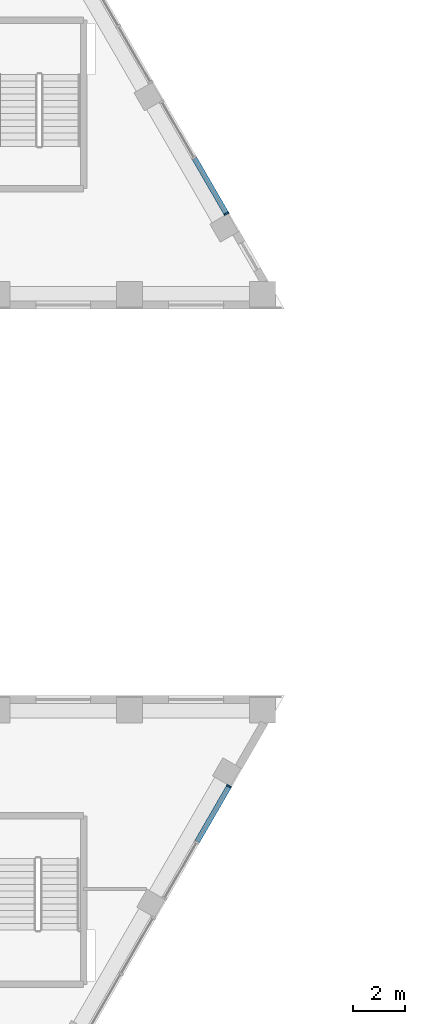
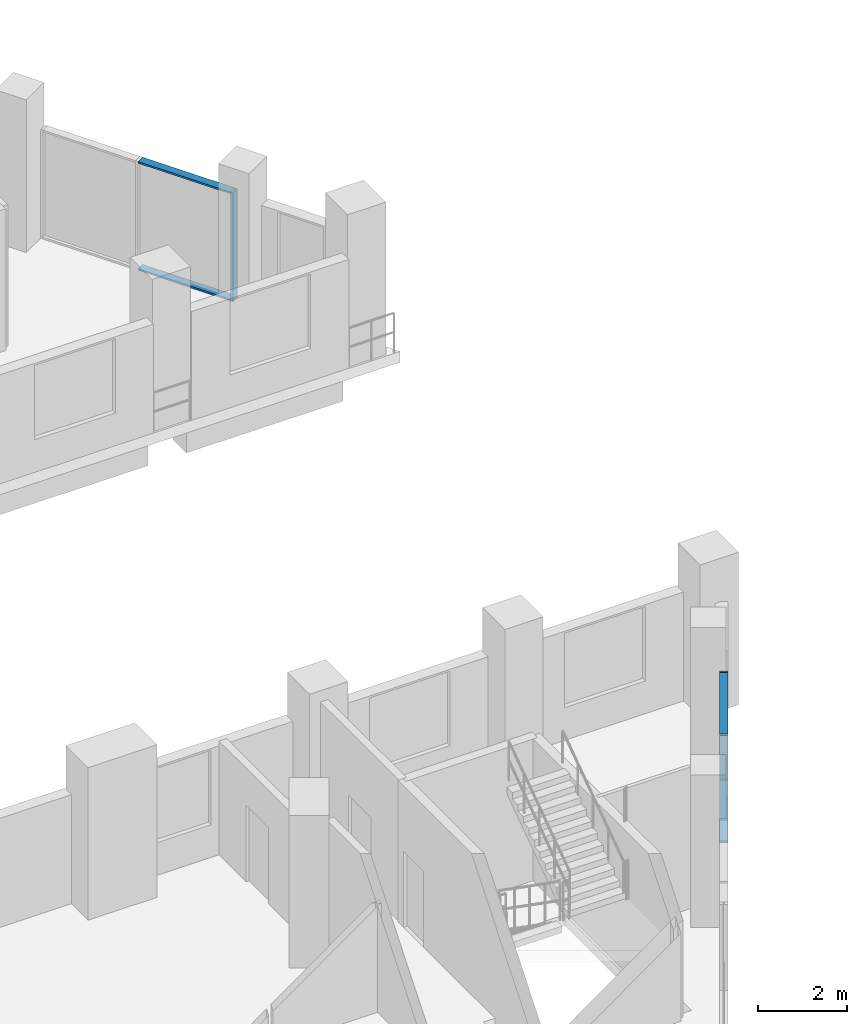
# One storey, part 5 of 47: 6 members, 2 elements without a shape of their own.
"""IFC4 building model written with IfcOpenShell, lengths in metres."""

from ifc_helpers import new_model, si_unit, direction, frame, origin, origin_2d, place, context, subcontext, project, spatial, rectangle, extrude, material, layer, layer_set, material_profile, profile_set, type_object, element, aggregate, save


model = new_model("IFC4")

# Units and contexts
model_context = context("Model", 3, precision=1e-05, world=origin(), true_north=direction((0.0, 1.0)))
body_context = subcontext(model_context, "Body", "Model", "MODEL_VIEW")
ifc_project = project(units=[si_unit("LENGTHUNIT", "METRE"), si_unit("AREAUNIT", "SQUARE_METRE"), si_unit("VOLUMEUNIT", "CUBIC_METRE"), si_unit("PLANEANGLEUNIT", "RADIAN"), si_unit("MASSUNIT", "GRAM", prefix="KILO")], contexts=[model_context])

# Site, building, storey
site_placement = place(None, origin())
site = spatial("IfcSite", under=ifc_project, at=site_placement, CompositionType="ELEMENT")
building_placement = place(site_placement, origin())
building = spatial("IfcBuilding", under=site, at=building_placement, Name="Nakaniwa Court", CompositionType="ELEMENT")
storey_placement = place(building_placement, frame((0.0, 0.0, 15.60009765625)))
storey = spatial("IfcBuildingStorey", under=building, at=storey_placement, Name="L03", CompositionType="ELEMENT", Elevation=15.60009765625)

# Curtain wall, member
ifc_material_1 = material(Name="Black anodised aluminium frame with dark low-E laminated double glazing", Category="aluminium")
ifc_layer = layer(ifc_material_1, 0.199951171875)
ifc_layer_set = layer_set([ifc_layer], Name="Black anodised aluminium frame with dark low-E laminated double glazing")
curtain_wall_type = type_object("IfcCurtainWallType", Name="Podium unitised curtain wall", PredefinedType="NOTDEFINED", material=ifc_layer_set)
curtain_wall_1_placement = place(storey_placement, origin())
curtain_wall_1 = element("IfcCurtainWall", 1, at=curtain_wall_1_placement, inside=storey, type_object=curtain_wall_type, Name="L03 curtain wall CW1 02", PredefinedType="NOTDEFINED")
ifc_material_2 = material(Name="Black anodised aluminium extrusion", Category="aluminium")
ifc_material_profile_1 = material_profile(ifc_material_2, rectangle(XDim=0.199951171875, YDim=0.06494140625, at=origin_2d()), Name="Podium unitised curtain wall mullion 65x200")
ifc_profile_set_1 = profile_set([ifc_material_profile_1], Name="Black anodised aluminium extrusion")
member_type_1 = type_object("IfcMemberType", Name="Podium unitised curtain wall mullion 65x200", PredefinedType="MULLION", material=ifc_profile_set_1)
member_1_placement = place(storey_placement, frame((111.71337890625, 69.129150390625, 0.0), z_axis=(0.0, 0.0, 1.0), x_axis=(-0.866023723106, 0.500002911009, 0.0)))
member_1 = element("IfcMember", 2, at=member_1_placement, type_object=member_type_1, Name="CW1 mullion 3", PredefinedType="MULLION", context=body_context, shape_type="SweptSolid", body=[
    extrude(rectangle(XDim=0.199951171875, YDim=0.06494140625, at=origin_2d()), origin(), (0.0, 0.0, 1.0), 3.0),
])

curtain_wall_2_placement = place(storey_placement, origin())
curtain_wall_2 = element("IfcCurtainWall", 3, at=curtain_wall_2_placement, inside=storey, type_object=curtain_wall_type, Name="L03 curtain wall CW1 40", PredefinedType="NOTDEFINED")
member_2_placement = place(storey_placement, frame((111.612060546875, 91.04638671875, 0.0), z_axis=(0.0, 0.0, 1.0), x_axis=(-0.866032365426, -0.499987941889, 0.0)))
member_2 = element("IfcMember", 4, at=member_2_placement, type_object=member_type_1, Name="CW1 mullion 1", PredefinedType="MULLION", context=body_context, shape_type="SweptSolid", body=[
    extrude(rectangle(XDim=0.199951171875, YDim=0.06494140625, at=origin_2d()), origin(), (0.0, 0.0, 1.0), 3.0),
])

# Member
ifc_material_profile_2 = material_profile(ifc_material_2, rectangle(XDim=0.199951171875, YDim=0.050048828125, at=origin_2d()), Name="Podium unitised curtain wall transom 50x200")
ifc_profile_set_2 = profile_set([ifc_material_profile_2], Name="Black anodised aluminium extrusion")
member_type_2 = type_object("IfcMemberType", Name="Podium unitised curtain wall transom 50x200", PredefinedType="USERDEFINED", material=ifc_profile_set_2)
member_3_placement = place(storey_placement, frame((110.4931640625, 67.015869140625, 0.02490234375), z_axis=(0.499988695522, 0.866031930329, 0.0), x_axis=(-0.866031930329, 0.499988695522, 0.0)))
member_3 = element("IfcMember", 5, at=member_3_placement, type_object=member_type_2, Name="CW1 transom 2.1", ObjectType="TRANSOM", PredefinedType="USERDEFINED", context=body_context, shape_type="SweptSolid", body=[
    extrude(rectangle(XDim=0.199951171875, YDim=0.050048828125, at=origin_2d()), origin(), (0.0, 0.0, 1.0), 2.40771484375),
])

member_4_placement = place(storey_placement, frame((110.4931640625, 67.015869140625, 2.974853515625), z_axis=(0.499988695522, 0.866031930329, 0.0), x_axis=(-0.866031930329, 0.499988695522, 0.0)))
member_4 = element("IfcMember", 6, at=member_4_placement, type_object=member_type_2, Name="CW1 transom 2.2", ObjectType="TRANSOM", PredefinedType="USERDEFINED", context=body_context, shape_type="SweptSolid", body=[
    extrude(rectangle(XDim=0.199951171875, YDim=0.050048828125, at=origin_2d()), origin(), (0.0, 0.0, 1.0), 2.40771484375),
])

aggregate(curtain_wall_1, [member_1, member_3, member_4])

member_5_placement = place(storey_placement, frame((111.595703125, 91.07470703125, 0.02490234375), z_axis=(-0.50003260427, 0.866006578882, 0.0), x_axis=(-0.866006578882, -0.50003260427, 0.0)))
member_5 = element("IfcMember", 7, at=member_5_placement, type_object=member_type_2, Name="CW1 transom 1.1", ObjectType="TRANSOM", PredefinedType="USERDEFINED", context=body_context, shape_type="SweptSolid", body=[
    extrude(rectangle(XDim=0.199951171875, YDim=0.050048828125, at=origin_2d()), origin(), (0.0, 0.0, 1.0), 2.407470703125),
])

member_6_placement = place(storey_placement, frame((111.595703125, 91.07470703125, 2.974853515625), z_axis=(-0.50003260427, 0.866006578882, 0.0), x_axis=(-0.866006578882, -0.50003260427, 0.0)))
member_6 = element("IfcMember", 8, at=member_6_placement, type_object=member_type_2, Name="CW1 transom 1.2", ObjectType="TRANSOM", PredefinedType="USERDEFINED", context=body_context, shape_type="SweptSolid", body=[
    extrude(rectangle(XDim=0.199951171875, YDim=0.050048828125, at=origin_2d()), origin(), (0.0, 0.0, 1.0), 2.407470703125),
])

aggregate(curtain_wall_2, [member_2, member_5, member_6])

save(model, "model.ifc")
